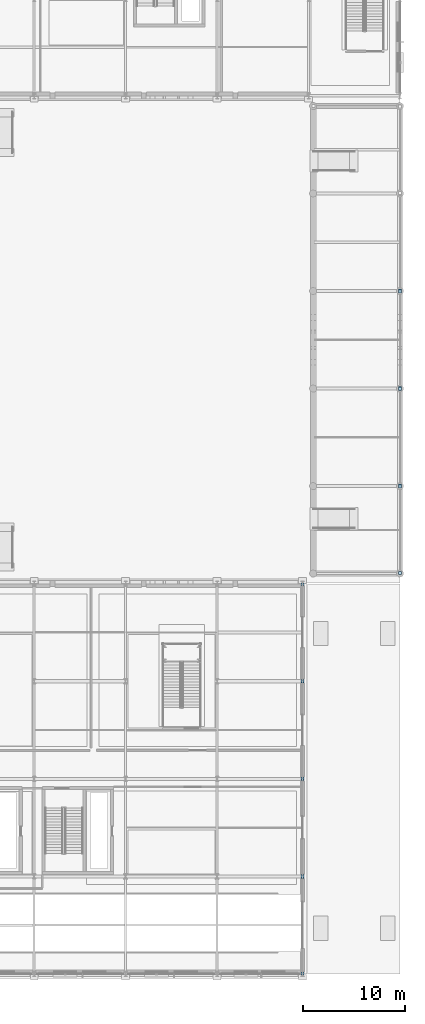
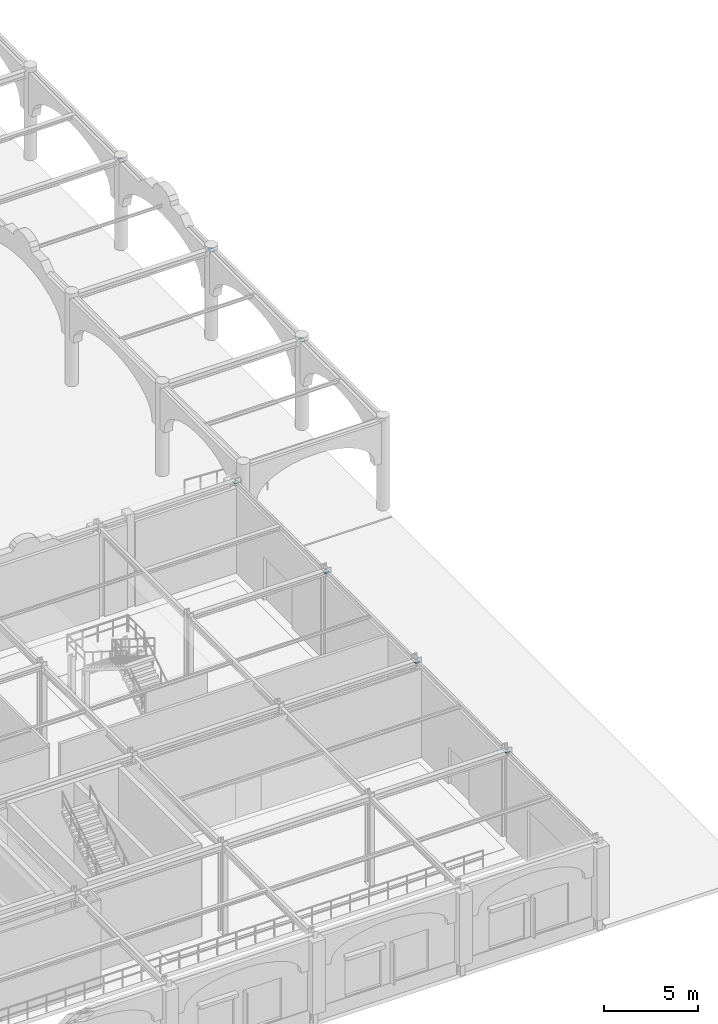
# One storey, part 56 of 113: 15 plates.
"""IFC4 building model written with IfcOpenShell, lengths in metres."""

from ifc_helpers import new_model, si_unit, direction, frame, origin, origin_2d, place, context, subcontext, project, spatial, rectangle, extrude, material, layer, layer_set, type_object, element, save


model = new_model("IFC4")

# Units and contexts
model_context = context("Model", 3, precision=1e-05, world=origin(), true_north=direction((0.0, 1.0)))
body_context = subcontext(model_context, "Body", "Model", "MODEL_VIEW")
ifc_project = project(units=[si_unit("LENGTHUNIT", "METRE"), si_unit("AREAUNIT", "SQUARE_METRE"), si_unit("VOLUMEUNIT", "CUBIC_METRE"), si_unit("PLANEANGLEUNIT", "RADIAN"), si_unit("MASSUNIT", "GRAM", prefix="KILO")], contexts=[model_context])

# Site, building, storey
site_placement = place(None, origin())
site = spatial("IfcSite", under=ifc_project, at=site_placement, CompositionType="ELEMENT")
building_placement = place(site_placement, origin())
building = spatial("IfcBuilding", under=site, at=building_placement, Name="Myrtia Square Station", CompositionType="ELEMENT")
storey_placement = place(building_placement, origin())
storey = spatial("IfcBuildingStorey", under=building, at=storey_placement, Name="L00", CompositionType="ELEMENT", Elevation=0.0)

# Plates
ifc_material = material(Name="Steel S355", Category="steel")
ifc_layer = layer(ifc_material, 0.01611328125, Name="Steel S355")
ifc_layer_set = layer_set([ifc_layer], Name="Steel S355")
plate_type = type_object("IfcPlateType", Name="PLT-GUS16", PredefinedType="USERDEFINED", material=ifc_layer_set)
for number, where, z_axis, x_axis, name in (
    (1, (189.0, 39.449951171875, 5.6318359375), (0.0, 0.0, 1.0), (0.0, 1.0, 0.0), "Truss node gusset plate SPNY-L00-0089-1"),
    (2, (189.0, 47.949951171875, 5.6318359375), (0.0, 0.0, 1.0), (0.0, 1.0, 0.0), "Truss node gusset plate SPNY-L00-0089-2"),
    (3, (189.0, 48.050048828125, 5.6318359375), (0.0, 0.0, 1.0), (0.0, 1.0, 0.0), "Truss node gusset plate SPNY-L00-0090-1"),
    (4, (189.0, 57.550048828125, 5.6318359375), (0.0, 0.0, 1.0), (0.0, 1.0, 0.0), "Truss node gusset plate SPNY-L00-0090-2"),
    (5, (189.0, 57.64990234375, 5.6318359375), (0.0, 0.0, 1.0), (0.0, 1.0, 0.0), "Truss node gusset plate SPNY-L00-0091-1"),
    (6, (189.0, 67.14990234375, 5.6318359375), (0.0, 0.0, 1.0), (0.0, 1.0, 0.0), "Truss node gusset plate SPNY-L00-0091-2"),
    (7, (189.0, 67.25, 5.6318359375), (0.0, 0.0, 1.0), (0.0, 1.0, 0.0), "Truss node gusset plate SPNY-L00-0092-1"),
    (8, (179.39990234375, 0.050048828125, 5.616943359375), (0.0, 0.0, 1.0), (0.0, 1.0, 0.0), "Truss node gusset plate SPNY-L00-0113-1"),
    (9, (179.39990234375, 9.550048828125, 5.616943359375), (0.0, 0.0, 1.0), (0.0, 1.0, 0.0), "Truss node gusset plate SPNY-L00-0113-2"),
    (10, (179.39990234375, 9.64990234375, 5.616943359375), (0.0, 0.0, 1.0), (0.0, 1.0, 0.0), "Truss node gusset plate SPNY-L00-0114-1"),
    (11, (179.39990234375, 19.14990234375, 5.616943359375), (0.0, 0.0, 1.0), (0.0, 1.0, 0.0), "Truss node gusset plate SPNY-L00-0114-2"),
    (12, (179.39990234375, 19.25, 5.616943359375), (0.0, 0.0, 1.0), (0.0, 1.0, 0.0), "Truss node gusset plate SPNY-L00-0115-1"),
    (13, (179.39990234375, 28.75, 5.616943359375), (0.0, 0.0, 1.0), (0.0, 1.0, 0.0), "Truss node gusset plate SPNY-L00-0115-2"),
    (14, (179.39990234375, 28.85009765625, 5.616943359375), (0.0, 0.0, 1.0), (0.0, 1.0, 0.0), "Truss node gusset plate SPNY-L00-0116-1"),
    (15, (179.39990234375, 38.35009765625, 5.616943359375), (0.0, 0.0, 1.0), (0.0, 1.0, 0.0), "Truss node gusset plate SPNY-L00-0116-2"),
):
    element("IfcPlate", number, at=place(storey_placement, frame(where, z_axis=z_axis, x_axis=x_axis)), inside=storey, type_object=plate_type, Name=name, ObjectType="GUSSET PLATE", PredefinedType="USERDEFINED", context=body_context, shape_type="SweptSolid", body=[
        extrude(rectangle(XDim=0.280029296875, YDim=0.280029296875, at=origin_2d()), origin(), (0.0, 0.0, 1.0), 0.01611328125),
    ])

save(model, "model.ifc")
